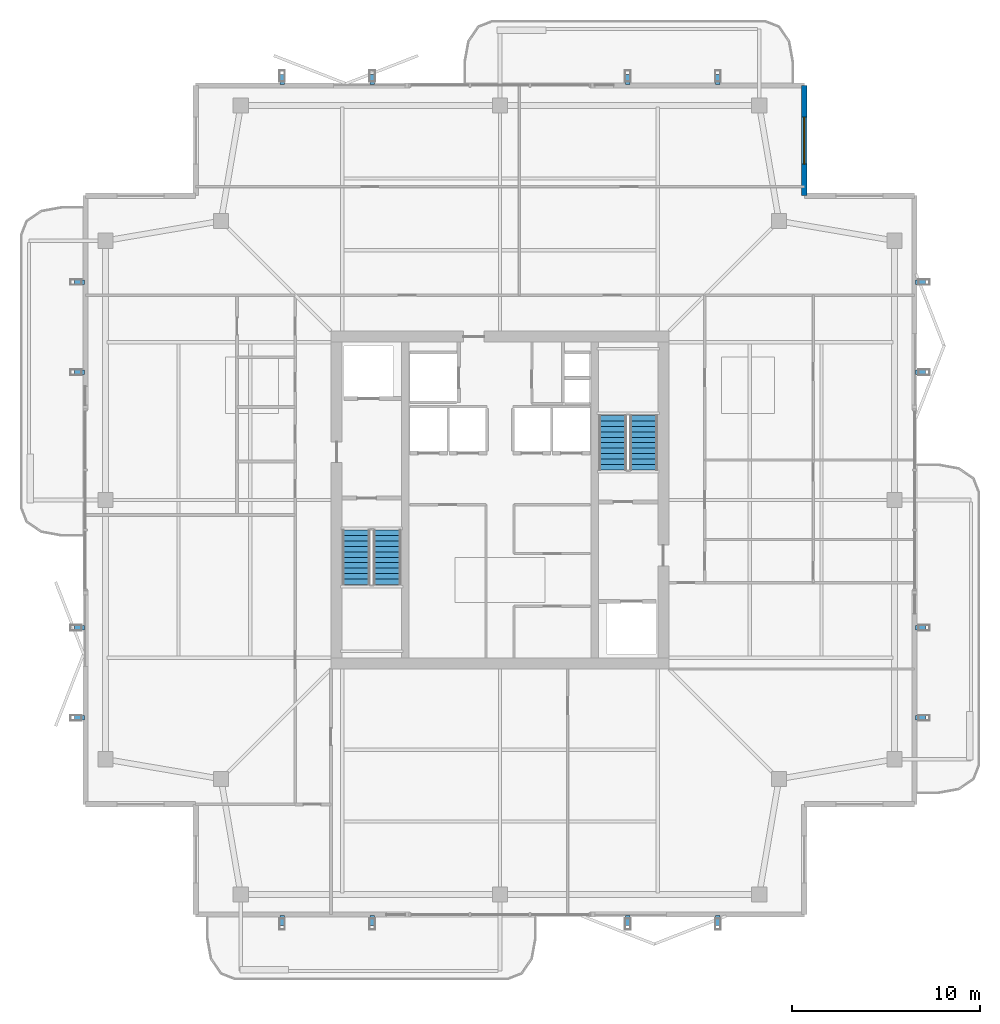
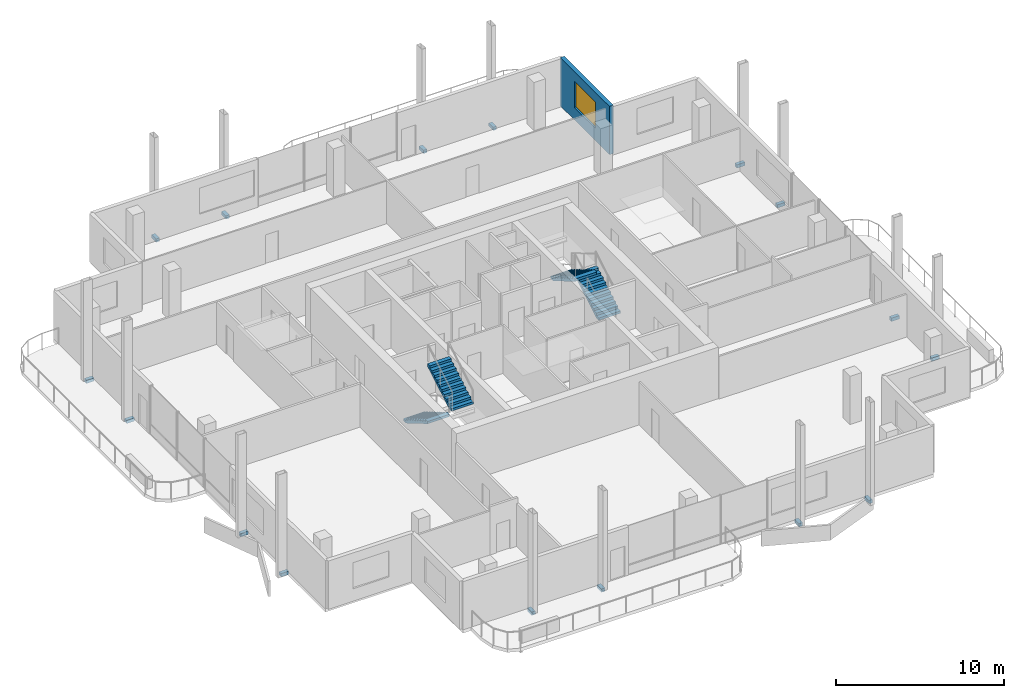
# One storey, part 19 of 22: 16 discrete accessories, 4 stair flights, 1 wall, 1 window, 1 opening, 2 elements without a shape of their own.
"""IFC4 building model written with IfcOpenShell, lengths in metres."""

import ifcopenshell
import ifcopenshell.guid

model = None  # the IFC model being written
_history = None  # IfcOwnerHistory: only IFC2X3 demands one
_inside = {}  # id of a spatial element -> (the spatial element, [elements in it])
_under = {}  # id of a project, library or spatial element -> (it, [spatial elements below it])
_declared = {}  # id of a project -> (the project, [libraries it declares])
_typed = {}  # id of a type object -> (the type object, [elements of that type])
_made_of = {}  # id of a material, layer set ... -> (it, [elements and type objects made of it])


def new_model(schema):
    """Start an empty IFC model of exactly this schema.

    Asked for "IFC4X3", IfcOpenShell would pick the latest addendum, in which some entities
    have other attributes; the version numbers below select the first issue.
    IFC2X3 requires an IfcOwnerHistory on every rooted entity: one is made here for all.
    """
    global model, _history
    if schema == "IFC4X3":
        model = ifcopenshell.file(schema_version=(4, 3, 0, 0))
    else:
        model = ifcopenshell.file(schema=schema)
    _inside.clear()
    _under.clear()
    _declared.clear()
    _typed.clear()
    _made_of.clear()
    _history = None
    if model.schema == "IFC2X3":
        org = make("IfcOrganization", Name="unknown")
        user = make(
            "IfcPersonAndOrganization",
            ThePerson=make("IfcPerson", FamilyName="unknown"),
            TheOrganization=org,
        )
        app = make(
            "IfcApplication",
            ApplicationDeveloper=org,
            Version="unknown",
            ApplicationFullName="unknown",
            ApplicationIdentifier="unknown",
        )
        _history = make(
            "IfcOwnerHistory",
            OwningUser=user,
            OwningApplication=app,
            ChangeAction="ADDED",
            CreationDate=0,
        )
    return model


def make(cls, **values):
    """One entity of the class cls with the attributes given. An attribute that is None is left unset."""
    return model.create_entity(
        cls, **{name: value for name, value in values.items() if value is not None}
    )


def rooted(cls, **values):
    """An entity with a GlobalId (a new one), such as an element, a storey or a relation."""
    return make(cls, GlobalId=ifcopenshell.guid.new(), OwnerHistory=_history, **values)


def si_unit(unit_type, name, prefix=None):
    """IfcSIUnit, for example si_unit("LENGTHUNIT", "METRE", prefix="MILLI")."""
    return make("IfcSIUnit", UnitType=unit_type, Prefix=prefix, Name=name)


def assignment(units):
    """IfcUnitAssignment: the units of a project."""
    return None if units is None else make("IfcUnitAssignment", Units=units)


def point(xyz):
    """IfcCartesianPoint."""
    return None if xyz is None else make("IfcCartesianPoint", Coordinates=xyz)


def direction(xyz):
    """IfcDirection."""
    return None if xyz is None else make("IfcDirection", DirectionRatios=xyz)


def frame(location, z_axis=None, x_axis=None):
    """IfcAxis2Placement3D, a coordinate frame: its origin and axes. An axis left out is left unset."""
    return make(
        "IfcAxis2Placement3D",
        Location=point(location),
        Axis=direction(z_axis),
        RefDirection=direction(x_axis),
    )


def frame_2d(location, x_axis=None):
    """IfcAxis2Placement2D, a coordinate frame in the plane: its origin and x axis."""
    return make(
        "IfcAxis2Placement2D", Location=point(location), RefDirection=direction(x_axis)
    )


def origin():
    """The frame at (0, 0, 0) with its axes left unset."""
    return frame((0.0, 0.0, 0.0))


def origin_2d():
    """The frame at (0, 0) in the plane with its x axis left unset."""
    return frame_2d((0.0, 0.0))


def place(relative_to, where):
    """IfcLocalPlacement: puts the frame where relative to a parent placement (None: the world)."""
    return make(
        "IfcLocalPlacement", PlacementRelTo=relative_to, RelativePlacement=where
    )


def context(
    kind, dimensions, precision=None, world=None, true_north=None, identifier=None
):
    """IfcGeometricRepresentationContext, for example the 3D "Model" context."""
    return make(
        "IfcGeometricRepresentationContext",
        ContextIdentifier=identifier,
        ContextType=kind,
        CoordinateSpaceDimension=dimensions,
        Precision=precision,
        WorldCoordinateSystem=world,
        TrueNorth=true_north,
    )


def subcontext(parent, identifier, kind, view, scale=None):
    """IfcGeometricRepresentationSubContext, for example "Body" below "Model"."""
    return make(
        "IfcGeometricRepresentationSubContext",
        ContextIdentifier=identifier,
        ContextType=kind,
        ParentContext=parent,
        TargetScale=scale,
        TargetView=view,
    )


def project(units=None, contexts=None):
    """IfcProject with its units and contexts."""
    return rooted(
        "IfcProject",
        Name="project",
        RepresentationContexts=contexts,
        UnitsInContext=assignment(units),
    )


def spatial(cls, under=None, at=None, **own):
    """A site, building, storey or space (cls), placed at a placement, below another one or the project."""
    s = rooted(cls, ObjectPlacement=at, **own)
    if under is not None:
        _under.setdefault(under.id(), (under, []))[1].append(s)
    return s


def polyline(points):
    """IfcPolyline through the points."""
    return make("IfcPolyline", Points=[point(p) for p in points])


def profile(cls, at=None, kind="AREA", **sizes):
    """A parametric profile (cls). Its sizes go by their IFC names, for example OverallWidth=200.0."""
    return make(cls, ProfileType=kind, Position=at, **sizes)


def rectangle(**sizes):
    """IfcRectangleProfileDef."""
    return profile("IfcRectangleProfileDef", **sizes)


def outline(outer, holes=None, kind="AREA"):
    """IfcArbitraryClosedProfileDef: a profile drawn as a closed curve; with holes, ...WithVoids."""
    if holes is None:
        return make("IfcArbitraryClosedProfileDef", ProfileType=kind, OuterCurve=outer)
    return make(
        "IfcArbitraryProfileDefWithVoids",
        ProfileType=kind,
        OuterCurve=outer,
        InnerCurves=holes,
    )


def extrude(swept, where, along, depth):
    """IfcExtrudedAreaSolid: the profile swept, set in the frame where, extruded along a direction by depth."""
    return make(
        "IfcExtrudedAreaSolid",
        SweptArea=swept,
        Position=where,
        ExtrudedDirection=direction(along),
        Depth=depth,
    )


def shape(context_of_items, identifier, shape_type, items):
    """IfcShapeRepresentation: the items that make up one representation, for example the "Body"."""
    return make(
        "IfcShapeRepresentation",
        ContextOfItems=context_of_items,
        RepresentationIdentifier=identifier,
        RepresentationType=shape_type,
        Items=items,
    )


def material(Name=None, Category=None):
    """IfcMaterial."""
    return make("IfcMaterial", Name=Name, Category=Category)


def layer(
    of_material, thickness, ventilated=None, Name=None, Category=None, Priority=None
):
    """IfcMaterialLayer: one layer of a wall or slab, of a material (None: an air gap)."""
    return make(
        "IfcMaterialLayer",
        Material=of_material,
        LayerThickness=thickness,
        IsVentilated=ventilated,
        Name=Name,
        Category=Category,
        Priority=Priority,
    )


def layer_set(layers, Name=None):
    """IfcMaterialLayerSet."""
    return make("IfcMaterialLayerSet", MaterialLayers=layers, LayerSetName=Name)


def made_of(thing, what):
    """Note that an element or type object is made of a material, layer set ...; save() writes the relation."""
    if what is not None:
        _made_of.setdefault(what.id(), (what, []))[1].append(thing)
    return thing


def type_object(cls, material=None, **own):
    """A type object (cls), such as IfcWallType, which elements share."""
    return made_of(rooted(cls, **own), material)


def element(
    cls,
    number,
    at=None,
    inside=None,
    cuts=None,
    type_object=None,
    material=None,
    context=None,
    identifier="Body",
    shape_type=None,
    held_by="IfcProductDefinitionShape",
    body=None,
    shapes=None,
    **own,
):
    """One element of the class cls, such as IfcWall. Its Tag is "e" and its number.

    at: its placement. inside: the storey or other place that contains it. cuts: it is an
    opening in that element (IfcRelVoidsElement). A single representation is given by context,
    identifier, shape_type and body (its items); several are given by shapes. held_by: the class
    of the entity that holds the representations. save() writes the other relations.
    """
    e = rooted(cls, Tag="e%d" % number, ObjectPlacement=at, **own)
    if body is not None:
        shapes = [shape(context, identifier, shape_type, body)]
    if shapes is not None:
        e.Representation = make(held_by, Representations=shapes)
    if inside is not None:
        _inside.setdefault(inside.id(), (inside, []))[1].append(e)
    if cuts is not None:
        rooted(
            "IfcRelVoidsElement", RelatingBuildingElement=cuts, RelatedOpeningElement=e
        )
    if type_object is not None:
        _typed.setdefault(type_object.id(), (type_object, []))[1].append(e)
    return made_of(e, material)


def fill(opening, filler):
    """IfcRelFillsElement: the door or window that sits in an opening."""
    return rooted(
        "IfcRelFillsElement",
        RelatingOpeningElement=opening,
        RelatedBuildingElement=filler,
    )


def aggregate(whole, parts):
    """IfcRelAggregates: a whole, such as a stair, and the parts it consists of."""
    return rooted("IfcRelAggregates", RelatingObject=whole, RelatedObjects=parts)


def save(model, path):
    """Write the relations noted so far, then the file.

    IfcRelAggregates (storeys below a building ...), IfcRelContainedInSpatialStructure (elements
    in a storey), IfcRelDefinesByType, IfcRelAssociatesMaterial and IfcRelDeclares: one each for
    every whole, place, type object, material and project.
    """
    for whole, parts in _under.values():
        aggregate(whole, parts)
    for where, things in _inside.values():
        rooted(
            "IfcRelContainedInSpatialStructure",
            RelatedElements=things,
            RelatingStructure=where,
        )
    for kind, things in _typed.values():
        rooted("IfcRelDefinesByType", RelatedObjects=things, RelatingType=kind)
    for what, things in _made_of.values():
        rooted("IfcRelAssociatesMaterial", RelatedObjects=things, RelatingMaterial=what)
    for by, libraries in _declared.values():
        rooted("IfcRelDeclares", RelatingContext=by, RelatedDefinitions=libraries)
    model.write(path)


model = new_model("IFC4")

# Units and contexts
model_context = context("Model", 3, precision=1e-05, world=origin(), true_north=direction((0.0, 1.0)))
body_context = subcontext(model_context, "Body", "Model", "MODEL_VIEW")
ifc_project = project(units=[si_unit("LENGTHUNIT", "METRE"), si_unit("AREAUNIT", "SQUARE_METRE"), si_unit("VOLUMEUNIT", "CUBIC_METRE"), si_unit("PLANEANGLEUNIT", "RADIAN"), si_unit("MASSUNIT", "GRAM", prefix="KILO")], contexts=[model_context])

# Site, building, storey
site_placement = place(None, origin())
site = spatial("IfcSite", under=ifc_project, at=site_placement, CompositionType="ELEMENT")
building_placement = place(site_placement, origin())
building = spatial("IfcBuilding", under=site, at=building_placement, Name="Belovzor Exchange Tower", CompositionType="ELEMENT")
storey_placement = place(building_placement, frame((0.0, 0.0, 336.75)))
storey = spatial("IfcBuildingStorey", under=building, at=storey_placement, Name="L84", CompositionType="ELEMENT", Elevation=336.75)

# Wall, opening, window
ifc_material_1 = material(Name="Precast concrete C40/50", Category="concrete")
ifc_layer_1 = layer(ifc_material_1, 0.280029296875)
ifc_layer_set_1 = layer_set([ifc_layer_1], Name="Precast concrete C40/50")
wall_type = type_object("IfcWallType", Name="Precast Concrete Notched Corner Frame Wall 280", PredefinedType="SOLIDWALL", material=ifc_layer_set_1)
wall_placement = place(storey_placement, frame((45.0, 50.8701171875, 0.0), z_axis=(0.0, 0.0, 1.0), x_axis=(0.0, -1.0, 0.0)))
wall = element("IfcWall", 1, at=wall_placement, inside=storey, type_object=wall_type, Name="W-CRN280 Precast Concrete Notched Corner Frame Wall 280 L84", PredefinedType="SOLIDWALL", context=body_context, shape_type="SweptSolid", body=[
    extrude(rectangle(XDim=5.8701171875, YDim=0.280029296875, at=frame_2d((2.93505859375, 0.0))), origin(), (0.0, 0.0, 1.0), 3.510009765625),
])
opening_placement = place(wall_placement, frame((1.68505859375, 0.0, 0.89990234375)))
opening = element("IfcOpeningElement", 2, at=opening_placement, cuts=wall, Name="Opening WN-CRN250", PredefinedType="OPENING", context=body_context, shape_type="SweptSolid", body=[
    extrude(rectangle(XDim=2.5, YDim=1.89990234375, at=frame_2d((1.25, 0.949951171875))), frame((0.0, 0.14990234375, 0.0), z_axis=(0.0, -1.0, 0.0), x_axis=(1.0, 0.0, 0.0)), (0.0, 0.0, 1.0), 0.300048828125),
])
ifc_material_2 = material(Name="Thermally Broken Aluminium and Triple Glazing", Category="aluminium")
window_type = type_object("IfcWindowType", Name="Streamline Moderne Corner Wrap Ribbon Window 2500x1900", PartitioningType="SINGLE_PANEL", PredefinedType="WINDOW", material=ifc_material_2)
window_placement = place(opening_placement, origin())
window = element("IfcWindow", 3, at=window_placement, inside=storey, type_object=window_type, Name="WN-CRN250 Streamline Moderne Corner Wrap Ribbon Window 2500x1900", OverallHeight=1.89990234375, OverallWidth=2.5, PartitioningType="SINGLE_PANEL", PredefinedType="WINDOW", context=body_context, shape_type="SweptSolid", body=[
    extrude(rectangle(XDim=2.5, YDim=1.89990234375, at=frame_2d((1.25, 0.949951171875))), frame((0.0, 0.030029296875, 0.0), z_axis=(0.0, -1.0, 0.0), x_axis=(1.0, 0.0, 0.0)), (0.0, 0.0, 1.0), 0.06005859375),
])
fill(opening, window)

# Stair, stair flights
ifc_material_3 = material(Name="Concrete C40/50", Category="concrete")
stair_type = type_object("IfcStairType", Name="Reinforced Concrete Dogleg Escape Stair 1350", PredefinedType="HALF_TURN_STAIR", material=ifc_material_3)
stair_1_placement = place(storey_placement, origin())
stair_1 = element("IfcStair", 4, at=stair_1_placement, inside=storey, type_object=stair_type, Name="L84 ST-1", PredefinedType="HALF_TURN_STAIR")
ifc_material_4 = material(Name="Concrete C40/50", Category="concrete")
stair_flight_type = type_object("IfcStairFlightType", Name="Reinforced Concrete Stair Flight 1350", PredefinedType="STRAIGHT", material=ifc_material_4)
stair_flight_1_placement = place(storey_placement, frame((21.14990234375, 27.199951171875, 0.0), z_axis=(0.0, 0.0, 1.0), x_axis=(0.0, -1.0, 0.0)))
stair_flight_1 = element("IfcStairFlight", 5, at=stair_flight_1_placement, type_object=stair_flight_type, Name="ST-1 flight 1", NumberOfRisers=11, NumberOfTreads=10, PredefinedType="STRAIGHT", RiserHeight=0.170454545, TreadLength=0.29, context=body_context, shape_type="SweptSolid", body=[
    extrude(outline(polyline([(0.0, 0.0), (0.0, 0.17041015625), (0.2900390625, 0.17041015625), (0.2900390625, 0.3408203125), (0.580078125, 0.3408203125), (0.580078125, 0.511474609375), (0.8701171875, 0.511474609375), (0.8701171875, 0.681884765625), (1.159912109375, 0.681884765625), (1.159912109375, 0.852294921875), (1.449951171875, 0.852294921875), (1.449951171875, 1.022705078125), (1.739990234375, 1.022705078125), (1.739990234375, 1.193115234375), (2.030029296875, 1.193115234375), (2.030029296875, 1.363525390625), (2.320068359375, 1.363525390625), (2.320068359375, 1.5341796875), (2.610107421875, 1.5341796875), (2.610107421875, 1.70458984375), (2.89990234375, 1.70458984375), (2.89990234375, 1.875), (2.89990234375, 1.53076171875), (0.2958984375, 0.0), (0.0, 0.0)])), frame((0.0, 0.75, 0.0), z_axis=(0.0, -1.0, 0.0), x_axis=(1.0, 0.0, 0.0)), (0.0, 0.0, 1.0), 1.5),
])
stair_flight_2_placement = place(storey_placement, frame((22.800048828125, 24.300048828125, 1.875), z_axis=(0.0, 0.0, 1.0), x_axis=(0.0, 1.0, 0.0)))
stair_flight_2 = element("IfcStairFlight", 6, at=stair_flight_2_placement, type_object=stair_flight_type, Name="ST-1 flight 2", NumberOfRisers=11, NumberOfTreads=10, PredefinedType="STRAIGHT", RiserHeight=0.170454545, TreadLength=0.29, context=body_context, shape_type="SweptSolid", body=[
    extrude(outline(polyline([(0.0, 0.0), (0.0, 0.17041015625), (0.2900390625, 0.17041015625), (0.2900390625, 0.3408203125), (0.580078125, 0.3408203125), (0.580078125, 0.511474609375), (0.8701171875, 0.511474609375), (0.8701171875, 0.681884765625), (1.159912109375, 0.681884765625), (1.159912109375, 0.852294921875), (1.449951171875, 0.852294921875), (1.449951171875, 1.022705078125), (1.739990234375, 1.022705078125), (1.739990234375, 1.193115234375), (2.030029296875, 1.193115234375), (2.030029296875, 1.363525390625), (2.320068359375, 1.363525390625), (2.320068359375, 1.5341796875), (2.610107421875, 1.5341796875), (2.610107421875, 1.70458984375), (2.89990234375, 1.70458984375), (2.89990234375, 1.875), (2.89990234375, 1.53076171875), (0.2958984375, 0.0), (0.0, 0.0)])), frame((0.0, 0.75, 0.0), z_axis=(0.0, -1.0, 0.0), x_axis=(1.0, 0.0, 0.0)), (0.0, 0.0, 1.0), 1.5),
])
aggregate(stair_1, [stair_flight_1, stair_flight_2])

stair_2_placement = place(storey_placement, origin())
stair_2 = element("IfcStair", 7, at=stair_2_placement, inside=storey, type_object=stair_type, Name="L84 ST-2", PredefinedType="HALF_TURN_STAIR")
stair_flight_3_placement = place(storey_placement, frame((36.449951171875, 30.39990234375, 0.0), z_axis=(0.0, 0.0, 1.0), x_axis=(0.0, 1.0, 0.0)))
stair_flight_3 = element("IfcStairFlight", 8, at=stair_flight_3_placement, type_object=stair_flight_type, Name="ST-2 flight 1", NumberOfRisers=11, NumberOfTreads=10, PredefinedType="STRAIGHT", RiserHeight=0.170454545, TreadLength=0.29, context=body_context, shape_type="SweptSolid", body=[
    extrude(outline(polyline([(0.0, 0.0), (0.0, 0.17041015625), (0.2900390625, 0.17041015625), (0.2900390625, 0.3408203125), (0.580078125, 0.3408203125), (0.580078125, 0.511474609375), (0.8701171875, 0.511474609375), (0.8701171875, 0.681884765625), (1.159912109375, 0.681884765625), (1.159912109375, 0.852294921875), (1.449951171875, 0.852294921875), (1.449951171875, 1.022705078125), (1.739990234375, 1.022705078125), (1.739990234375, 1.193115234375), (2.030029296875, 1.193115234375), (2.030029296875, 1.363525390625), (2.320068359375, 1.363525390625), (2.320068359375, 1.5341796875), (2.610107421875, 1.5341796875), (2.610107421875, 1.70458984375), (2.89990234375, 1.70458984375), (2.89990234375, 1.875), (2.89990234375, 1.53076171875), (0.2958984375, 0.0), (0.0, 0.0)])), frame((0.0, 0.75, 0.0), z_axis=(0.0, -1.0, 0.0), x_axis=(1.0, 0.0, 0.0)), (0.0, 0.0, 1.0), 1.5),
])
stair_flight_4_placement = place(storey_placement, frame((34.800048828125, 33.300048828125, 1.875), z_axis=(0.0, 0.0, 1.0), x_axis=(0.0, -1.0, 0.0)))
stair_flight_4 = element("IfcStairFlight", 9, at=stair_flight_4_placement, type_object=stair_flight_type, Name="ST-2 flight 2", NumberOfRisers=11, NumberOfTreads=10, PredefinedType="STRAIGHT", RiserHeight=0.170454545, TreadLength=0.29, context=body_context, shape_type="SweptSolid", body=[
    extrude(outline(polyline([(0.0, 0.0), (0.0, 0.17041015625), (0.2900390625, 0.17041015625), (0.2900390625, 0.3408203125), (0.580078125, 0.3408203125), (0.580078125, 0.511474609375), (0.8701171875, 0.511474609375), (0.8701171875, 0.681884765625), (1.159912109375, 0.681884765625), (1.159912109375, 0.852294921875), (1.449951171875, 0.852294921875), (1.449951171875, 1.022705078125), (1.739990234375, 1.022705078125), (1.739990234375, 1.193115234375), (2.030029296875, 1.193115234375), (2.030029296875, 1.363525390625), (2.320068359375, 1.363525390625), (2.320068359375, 1.5341796875), (2.610107421875, 1.5341796875), (2.610107421875, 1.70458984375), (2.89990234375, 1.70458984375), (2.89990234375, 1.875), (2.89990234375, 1.53076171875), (0.2958984375, 0.0), (0.0, 0.0)])), frame((0.0, 0.75, 0.0), z_axis=(0.0, -1.0, 0.0), x_axis=(1.0, 0.0, 0.0)), (0.0, 0.0, 1.0), 1.5),
])
aggregate(stair_2, [stair_flight_3, stair_flight_4])

# Discrete accessories
ifc_material_5 = material(Name="Stainless Steel Grade 316", Category="steel")
ifc_layer_2 = layer(ifc_material_5, 0.179931640625)
ifc_layer_set_2 = layer_set([ifc_layer_2], Name="Stainless Steel Grade 316")
discrete_accessory_type = type_object("IfcDiscreteAccessoryType", Name="Stainless Steel Facade Outrigger Fixing Bracket", PredefinedType="BRACKET", material=ifc_layer_set_2)
for number, where, z_axis, x_axis, name in (
    (10, (17.199951171875, 6.412109375, -0.240234375), (0.0, 0.0, 1.0), (0.0, 1.0, 0.0), "BRK-FIN1 Sweeping Fin Outrigger Bracket L84 S1"),
    (11, (17.199951171875, 51.18798828125, -0.240234375), (0.0, 0.0, 1.0), (0.0, 1.0, 0.0), "BRK-FIN1 Sweeping Fin Outrigger Bracket L84 N1"),
    (12, (6.412109375, 17.199951171875, -0.240234375), (0.0, 0.0, 1.0), (1.0, 0.0, 0.0), "BRK-FIN1 Sweeping Fin Outrigger Bracket L84 W1"),
    (13, (51.18798828125, 17.199951171875, -0.240234375), (0.0, 0.0, 1.0), (1.0, 0.0, 0.0), "BRK-FIN1 Sweeping Fin Outrigger Bracket L84 E1"),
    (14, (22.0, 6.412109375, -0.240234375), (0.0, 0.0, 1.0), (0.0, 1.0, 0.0), "BRK-FIN1 Sweeping Fin Outrigger Bracket L84 S2"),
    (15, (22.0, 51.18798828125, -0.240234375), (0.0, 0.0, 1.0), (0.0, 1.0, 0.0), "BRK-FIN1 Sweeping Fin Outrigger Bracket L84 N2"),
    (16, (6.412109375, 22.0, -0.240234375), (0.0, 0.0, 1.0), (1.0, 0.0, 0.0), "BRK-FIN1 Sweeping Fin Outrigger Bracket L84 W2"),
    (17, (51.18798828125, 22.0, -0.240234375), (0.0, 0.0, 1.0), (1.0, 0.0, 0.0), "BRK-FIN1 Sweeping Fin Outrigger Bracket L84 E2"),
    (18, (35.60009765625, 6.412109375, -0.240234375), (0.0, 0.0, 1.0), (0.0, 1.0, 0.0), "BRK-FIN1 Sweeping Fin Outrigger Bracket L84 S3"),
    (19, (35.60009765625, 51.18798828125, -0.240234375), (0.0, 0.0, 1.0), (0.0, 1.0, 0.0), "BRK-FIN1 Sweeping Fin Outrigger Bracket L84 N3"),
    (20, (6.412109375, 35.60009765625, -0.240234375), (0.0, 0.0, 1.0), (1.0, 0.0, 0.0), "BRK-FIN1 Sweeping Fin Outrigger Bracket L84 W3"),
    (21, (51.18798828125, 35.60009765625, -0.240234375), (0.0, 0.0, 1.0), (1.0, 0.0, 0.0), "BRK-FIN1 Sweeping Fin Outrigger Bracket L84 E3"),
    (22, (40.39990234375, 6.412109375, -0.240234375), (0.0, 0.0, 1.0), (0.0, 1.0, 0.0), "BRK-FIN1 Sweeping Fin Outrigger Bracket L84 S4"),
    (23, (40.39990234375, 51.18798828125, -0.240234375), (0.0, 0.0, 1.0), (0.0, 1.0, 0.0), "BRK-FIN1 Sweeping Fin Outrigger Bracket L84 N4"),
    (24, (6.412109375, 40.39990234375, -0.240234375), (0.0, 0.0, 1.0), (1.0, 0.0, 0.0), "BRK-FIN1 Sweeping Fin Outrigger Bracket L84 W4"),
    (25, (51.18798828125, 40.39990234375, -0.240234375), (0.0, 0.0, 1.0), (1.0, 0.0, 0.0), "BRK-FIN1 Sweeping Fin Outrigger Bracket L84 E4"),
):
    element("IfcDiscreteAccessory", number, at=place(storey_placement, frame(where, z_axis=z_axis, x_axis=x_axis)), inside=storey, type_object=discrete_accessory_type, Name=name, PredefinedType="BRACKET", context=body_context, shape_type="SweptSolid", body=[
        extrude(rectangle(XDim=0.534912109375, YDim=0.239990234375, at=origin_2d()), origin(), (0.0, 0.0, 1.0), 0.239990234375),
    ])

save(model, "model.ifc")
